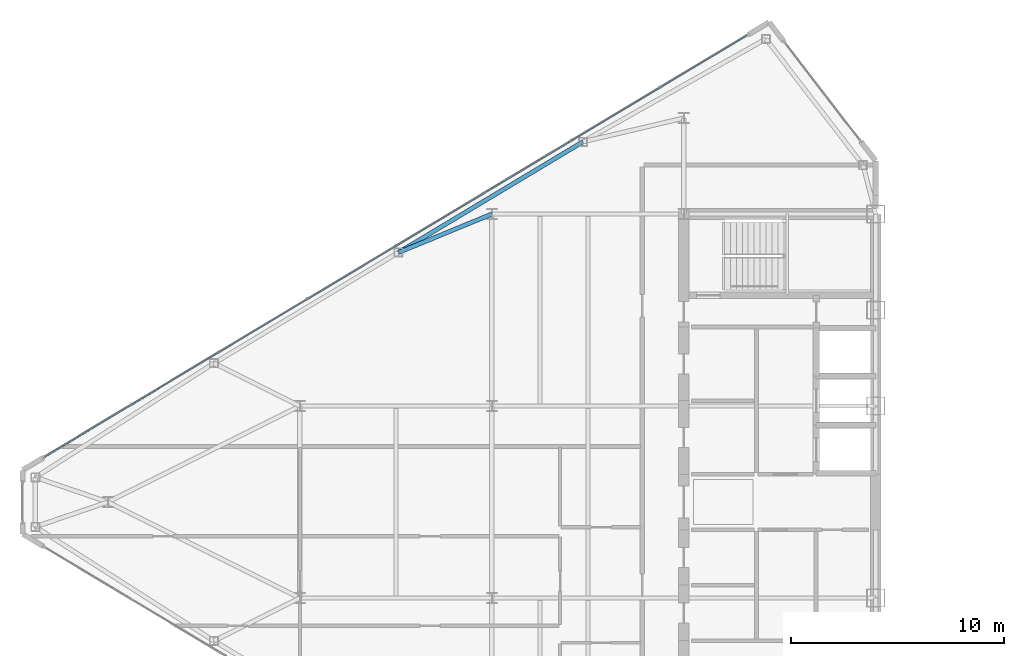
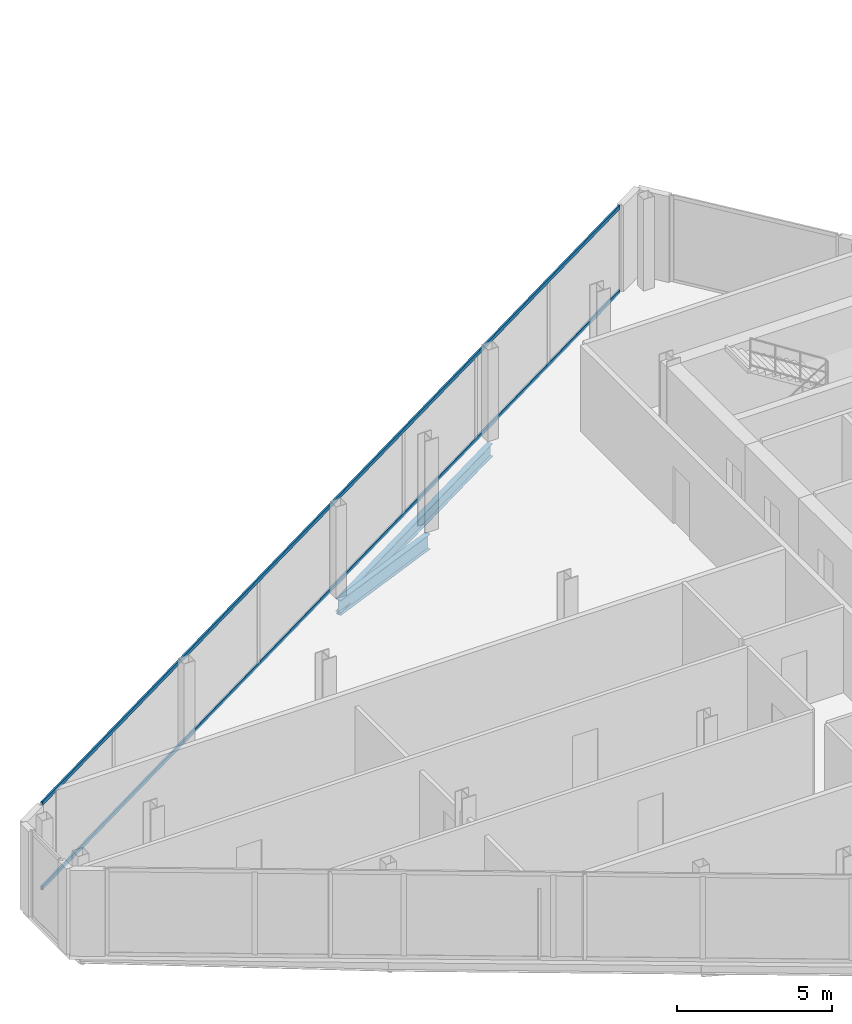
# One storey, part 9 of 25: 2 beams, 2 members, 1 element without a shape of its own.
"""IFC4 building model written with IfcOpenShell, lengths in metres."""

from ifc_helpers import new_model, si_unit, direction, frame, origin, origin_2d, place, context, subcontext, project, spatial, rectangle, i_section, extrude, source, transform, mapped, material, layer, layer_set, material_profile, profile_set, type_object, type_shapes, element, aggregate, save


model = new_model("IFC4")

# Units and contexts
model_context = context("Model", 3, precision=1e-05, world=origin(), true_north=direction((0.0, 1.0)))
body_context = subcontext(model_context, "Body", "Model", "MODEL_VIEW")
ifc_project = project(units=[si_unit("LENGTHUNIT", "METRE"), si_unit("AREAUNIT", "SQUARE_METRE"), si_unit("VOLUMEUNIT", "CUBIC_METRE"), si_unit("PLANEANGLEUNIT", "RADIAN"), si_unit("MASSUNIT", "GRAM", prefix="KILO")], contexts=[model_context])

# Site, building, storey
site_placement = place(None, origin())
site = spatial("IfcSite", under=ifc_project, at=site_placement, CompositionType="ELEMENT")
building_placement = place(site_placement, origin())
building = spatial("IfcBuilding", under=site, at=building_placement, Name="Seokmaru Belvedere", CompositionType="ELEMENT")
storey_placement = place(building_placement, frame((0.0, 0.0, 210.300048828125)))
storey = spatial("IfcBuildingStorey", under=building, at=storey_placement, Name="L56", CompositionType="ELEMENT", Elevation=210.300048828125)

# Beams
ifc_material_1 = material(Name="Steel SM355 (355 MPa)", Category="steel")
ifc_material_profile_1 = material_profile(ifc_material_1, i_section(OverallWidth=0.199951171875, OverallDepth=0.5, WebThickness=0.010009765625, FlangeThickness=0.01611328125, at=origin_2d()), Name="H-500x200x10x16")
ifc_profile_set_1 = profile_set([ifc_material_profile_1], Name="Steel SM355 (355 MPa)")
beam_type_1 = type_object("IfcBeamType", Name="Perimeter Spandrel Beam H-500", PredefinedType="SPANDREL", material=ifc_profile_set_1)
shared_shape_1 = source(origin(), body_context, "Body", "SweptSolid", [
    extrude(i_section(OverallWidth=0.199951171875, OverallDepth=0.5, WebThickness=0.010009765625, FlangeThickness=0.01611328125, at=origin_2d()), origin(), (0.0, 0.0, 1.0), 10.087646484375),
])
type_shapes(beam_type_1, [shared_shape_1])
beam_1_placement = place(storey_placement, frame((-41.229736328125, 16.888916015625, -0.469970703125), z_axis=(-0.857499332045, -0.514485078056, 0.0), x_axis=(0.514485078056, -0.857499332045, 0.0)))
element("IfcBeam", 1, at=beam_1_placement, inside=storey, type_object=beam_type_1, Name="L56 W Faceted Flank Spandrel N-2", PredefinedType="SPANDREL", context=body_context, shape_type="MappedRepresentation", body=[
    mapped(shared_shape_1, transform((0.0, 0.0, 0.0), scale=1.0)),
])
ifc_material_profile_2 = material_profile(ifc_material_1, i_section(OverallWidth=0.199951171875, OverallDepth=0.60009765625, WebThickness=0.010986328125, FlangeThickness=0.01708984375, at=origin_2d()), Name="H-600x200x11x17")
ifc_profile_set_2 = profile_set([ifc_material_profile_2], Name="Steel SM355 (355 MPa)")
beam_type_2 = type_object("IfcBeamType", Name="Primary Floor Girder H-600", PredefinedType="BEAM", material=ifc_profile_set_2)
shared_shape_2 = source(origin(), body_context, "Body", "SweptSolid", [
    extrude(i_section(OverallWidth=0.199951171875, OverallDepth=0.60009765625, WebThickness=0.010986328125, FlangeThickness=0.01708984375, at=origin_2d()), origin(), (0.0, 0.0, 1.0), 4.73583984375),
])
type_shapes(beam_type_2, [shared_shape_2])
beam_2_placement = place(storey_placement, frame((-49.8798828125, 11.698974609375, -0.52001953125), z_axis=(0.924860562953, 0.380306375301, 0.0), x_axis=(-0.380306375301, 0.924860562953, 0.0)))
element("IfcBeam", 2, at=beam_2_placement, inside=storey, type_object=beam_type_2, Name="L56 W Flank Radial Floor Girder N-2", PredefinedType="BEAM", context=body_context, shape_type="MappedRepresentation", body=[
    mapped(shared_shape_2, transform((0.0, 0.0, 0.0), scale=1.0)),
])

# Curtain wall, members
ifc_material_2 = material(Name="Bronze Triple Insulating Glass", Category="glass")
ifc_layer = layer(ifc_material_2, 0.179931640625)
ifc_layer_set = layer_set([ifc_layer], Name="Bronze Triple Insulating Glass")
curtain_wall_type = type_object("IfcCurtainWallType", Name="High-Rise Wind-Corner Curtain Wall System CW-5", PredefinedType="NOTDEFINED", material=ifc_layer_set)
curtain_wall_placement = place(storey_placement, origin())
curtain_wall = element("IfcCurtainWall", 3, at=curtain_wall_placement, inside=storey, type_object=curtain_wall_type, Name="L56 Curtain Wall WF3", PredefinedType="NOTDEFINED")
ifc_material_3 = material(Name="Anodised Bronze Aluminium", Category="aluminium")
ifc_material_profile_3 = material_profile(ifc_material_3, rectangle(XDim=0.06494140625, YDim=0.14990234375, at=origin_2d()), Name="CW-T-65x150")
ifc_profile_set_3 = profile_set([ifc_material_profile_3], Name="Anodised Bronze Aluminium")
member_type = type_object("IfcMemberType", Name="Bronze Unitised Transom 65x150", PredefinedType="USERDEFINED", material=ifc_profile_set_3)
shared_shape_3 = source(origin(), body_context, "Body", "SweptSolid", [
    extrude(rectangle(XDim=0.06494140625, YDim=0.14990234375, at=origin_2d()), origin(), (0.0, 0.0, 1.0), 38.386962890625),
])
type_shapes(member_type, [shared_shape_3])
member_1_placement = place(storey_placement, frame((-33.541748046875, 21.875, 0.032470703125), z_axis=(-0.85749180336, -0.514497626011, 0.0), x_axis=(0.514497626011, -0.85749180336, 0.0)))
member_1 = element("IfcMember", 4, at=member_1_placement, type_object=member_type, Name="CW:L56:WF3 Continuous Transom 1", ObjectType="TRANSOM", PredefinedType="USERDEFINED", context=body_context, shape_type="MappedRepresentation", body=[
    mapped(shared_shape_3, transform((0.0, 0.0, 0.0), scale=1.0)),
])
member_2_placement = place(storey_placement, frame((-33.541748046875, 21.875, 3.347412109375), z_axis=(-0.85749180336, -0.514497626011, 0.0), x_axis=(0.514497626011, -0.85749180336, 0.0)))
member_2 = element("IfcMember", 5, at=member_2_placement, type_object=member_type, Name="CW:L56:WF3 Continuous Transom 2", ObjectType="TRANSOM", PredefinedType="USERDEFINED", context=body_context, shape_type="MappedRepresentation", body=[
    mapped(shared_shape_3, transform((0.0, 0.0, 0.0), scale=1.0)),
])
aggregate(curtain_wall, [member_1, member_2])

save(model, "model.ifc")
